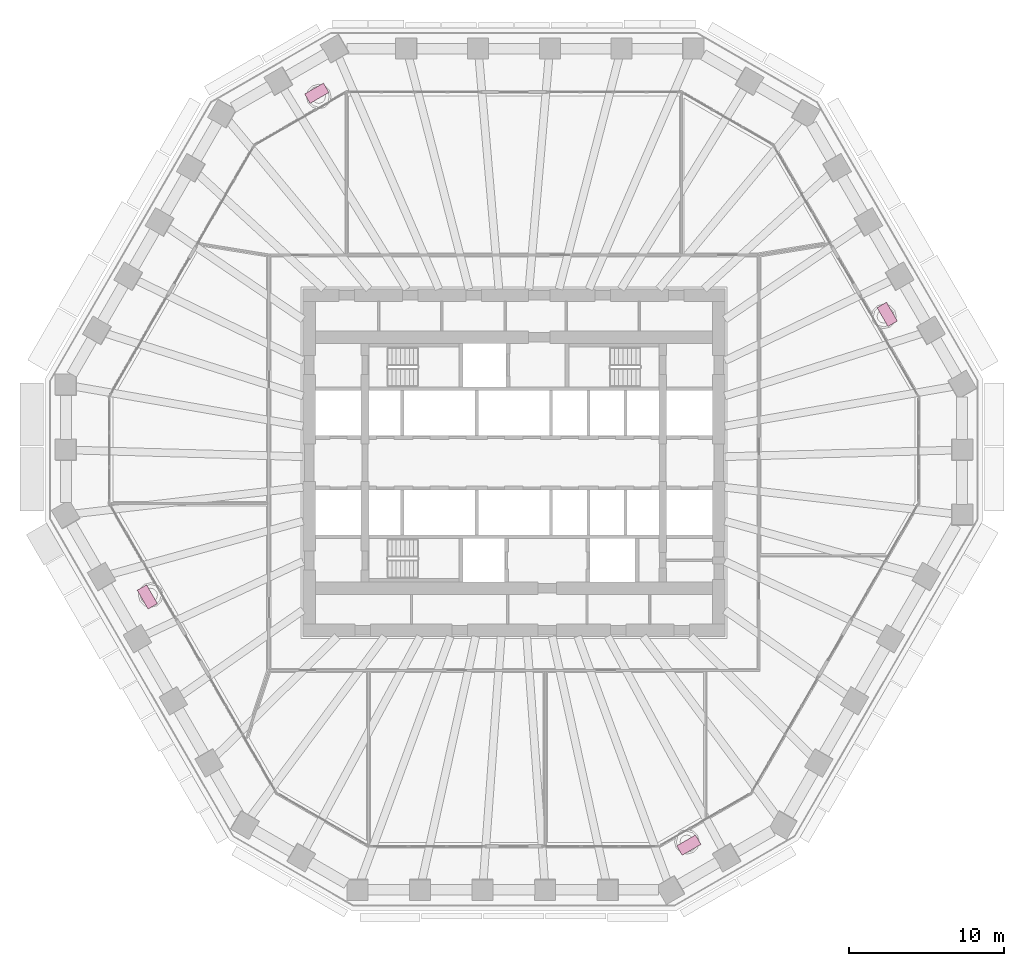
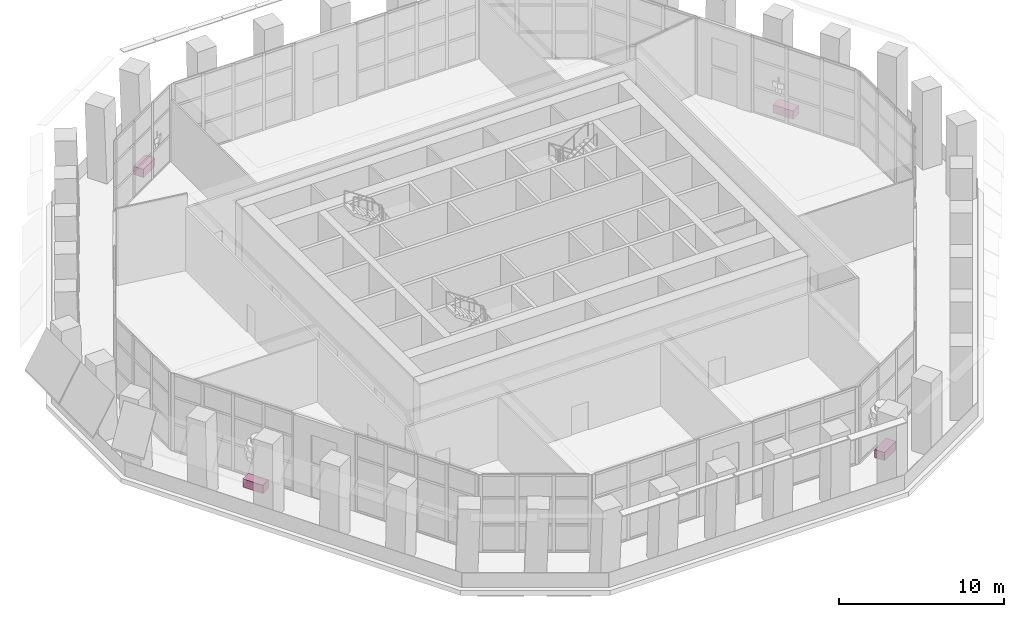
# One storey, part 21 of 22: 4 furniture elements.
"""IFC4 building model written with IfcOpenShell, lengths in metres."""

from ifc_helpers import new_model, si_unit, direction, frame, origin, origin_2d, place, context, subcontext, project, spatial, rectangle, extrude, material, type_object, element, save


model = new_model("IFC4")

# Units and contexts
model_context = context("Model", 3, precision=1e-05, world=origin(), true_north=direction((0.0, 1.0)))
body_context = subcontext(model_context, "Body", "Model", "MODEL_VIEW")
ifc_project = project(units=[si_unit("LENGTHUNIT", "METRE"), si_unit("AREAUNIT", "SQUARE_METRE"), si_unit("VOLUMEUNIT", "CUBIC_METRE"), si_unit("PLANEANGLEUNIT", "RADIAN"), si_unit("MASSUNIT", "GRAM", prefix="KILO")], contexts=[model_context])

# Site, building, storey
site_placement = place(None, origin())
site = spatial("IfcSite", under=ifc_project, at=site_placement, CompositionType="ELEMENT")
building_placement = place(site_placement, origin())
building = spatial("IfcBuilding", under=site, at=building_placement, Name="Frailejon Research Tower", CompositionType="ELEMENT")
storey_placement = place(building_placement, frame((0.0, 0.0, 107.199951171875)))
storey = spatial("IfcBuildingStorey", under=building, at=storey_placement, Name="L23", CompositionType="ELEMENT", Elevation=107.199951171875)

# Furniture
ifc_material = material(Name="Precast concrete C30/37 planter, terracotta", Category="masonry")
furniture_type = type_object("IfcFurnitureType", Name="Loggia planter 1400x700", AssemblyPlace="NOTDEFINED", PredefinedType="USERDEFINED", material=ifc_material)
for number, where, z_axis, x_axis, name in (
    (1, (24.0712890625, 9.56640625, 0.0), (0.0, 0.0, 1.0), (-0.5, 0.866025403784, 0.0), "Planter L23"),
    (2, (-12.71435546875, 23.826904296875, 0.0), (0.0, 0.0, 1.0), (-0.866025403784, -0.5, 0.0), "Planter L23"),
    (3, (-23.640380859375, -8.65380859375, 0.0), (0.0, 0.0, 1.0), (0.5, -0.866025403784, 0.0), "Planter L23"),
    (4, (11.27734375, -24.656494140625, 0.0), (0.0, 0.0, 1.0), (0.866025403784, 0.5, 0.0), "Planter L23"),
):
    element("IfcFurniture", number, at=place(storey_placement, frame(where, z_axis=z_axis, x_axis=x_axis)), inside=storey, type_object=furniture_type, Name=name, ObjectType="PLANTER", PredefinedType="USERDEFINED", context=body_context, shape_type="SweptSolid", body=[
        extrude(rectangle(XDim=1.39990234375, YDim=0.699951171875, at=origin_2d()), origin(), (0.0, 0.0, 1.0), 0.60009765625),
    ])

save(model, "model.ifc")
